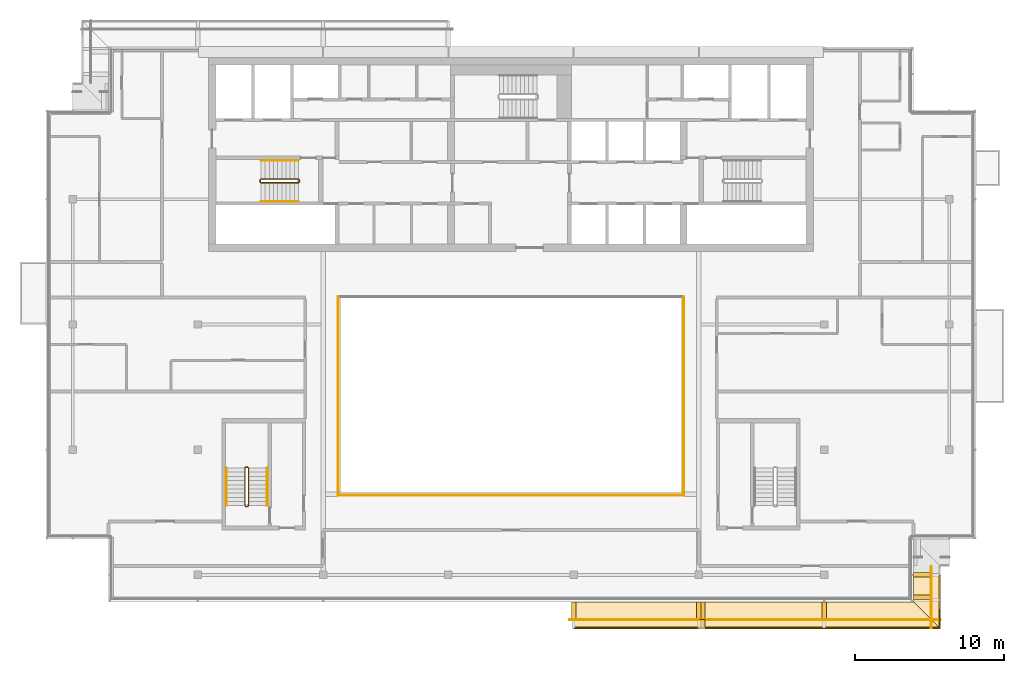
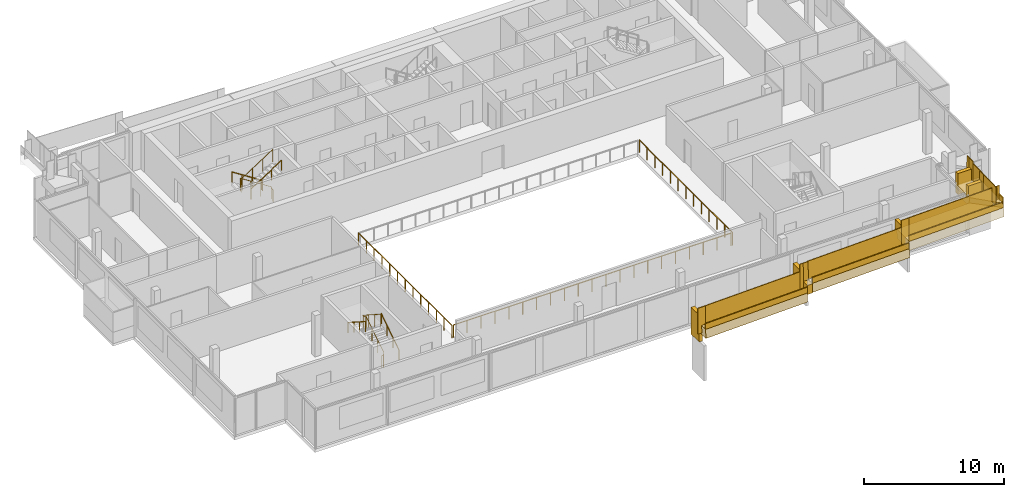
# One storey, part 17 of 21: 20 railings, 14 coverings.
"""IFC4 building model written with IfcOpenShell, lengths in metres."""

from ifc_helpers import new_model, si_unit, direction, frame, origin, origin_2d, place, context, subcontext, project, spatial, polyline, rectangle, circle, outline, extrude, material, layer, layer_set, type_object, element, save


model = new_model("IFC4")

# Units and contexts
model_context = context("Model", 3, precision=1e-05, world=origin(), true_north=direction((0.0, 1.0)))
body_context = subcontext(model_context, "Body", "Model", "MODEL_VIEW")
ifc_project = project(units=[si_unit("LENGTHUNIT", "METRE"), si_unit("AREAUNIT", "SQUARE_METRE"), si_unit("VOLUMEUNIT", "CUBIC_METRE"), si_unit("PLANEANGLEUNIT", "RADIAN"), si_unit("MASSUNIT", "GRAM", prefix="KILO")], contexts=[model_context])

# Site, building, storey
site_placement = place(None, origin())
site = spatial("IfcSite", under=ifc_project, at=site_placement, CompositionType="ELEMENT")
building_placement = place(site_placement, origin())
building = spatial("IfcBuilding", under=site, at=building_placement, Name="Saffron Gate Tower", CompositionType="ELEMENT")
storey_placement = place(building_placement, frame((0.0, 0.0, 288.75)))
storey = spatial("IfcBuildingStorey", under=building, at=storey_placement, Name="L70", CompositionType="ELEMENT", Elevation=288.75)

# Railings
ifc_material_1 = material(Name="Stainless steel and laminated glass", Category="steel")
railing_type_1 = type_object("IfcRailingType", Name="AG1 Atrium edge guard 1100", PredefinedType="GUARDRAIL", material=ifc_material_1)
railing_1_placement = place(storey_placement, frame((76.02001953125, 45.5400390625, 0.0)))
element("IfcRailing", 1, at=railing_1_placement, inside=storey, type_object=railing_type_1, Name="Guard E5-1", PredefinedType="GUARDRAIL", context=body_context, shape_type="SweptSolid", body=[
    extrude(circle(Radius=0.02392578125, at=origin_2d()), frame((0.0, 0.0, 1.076171875), z_axis=(0.0, 1.0, 0.0), x_axis=(-1.0, 0.0, 0.0)), (0.0, 0.0, 1.0), 13.320068359375),
    extrude(circle(Radius=0.02099609375, at=origin_2d()), origin(), (0.0, 0.0, 1.0), 1.052001953125),
    extrude(circle(Radius=0.02099609375, at=origin_2d()), frame((0.0, 1.110107421875, 0.0)), (0.0, 0.0, 1.0), 1.052001953125),
    extrude(circle(Radius=0.02099609375, at=origin_2d()), frame((0.0, 2.219970703125, 0.0)), (0.0, 0.0, 1.0), 1.052001953125),
    extrude(circle(Radius=0.02099609375, at=origin_2d()), frame((0.0, 3.330078125, 0.0)), (0.0, 0.0, 1.0), 1.052001953125),
    extrude(circle(Radius=0.02099609375, at=origin_2d()), frame((0.0, 4.43994140625, 0.0)), (0.0, 0.0, 1.0), 1.052001953125),
    extrude(circle(Radius=0.02099609375, at=origin_2d()), frame((0.0, 5.550048828125, 0.0)), (0.0, 0.0, 1.0), 1.052001953125),
    extrude(circle(Radius=0.02099609375, at=origin_2d()), frame((0.0, 6.66015625, 0.0)), (0.0, 0.0, 1.0), 1.052001953125),
    extrude(circle(Radius=0.02099609375, at=origin_2d()), frame((0.0, 7.77001953125, 0.0)), (0.0, 0.0, 1.0), 1.052001953125),
    extrude(circle(Radius=0.02099609375, at=origin_2d()), frame((0.0, 8.880126953125, 0.0)), (0.0, 0.0, 1.0), 1.052001953125),
    extrude(circle(Radius=0.02099609375, at=origin_2d()), frame((0.0, 9.989990234375, 0.0)), (0.0, 0.0, 1.0), 1.052001953125),
    extrude(circle(Radius=0.02099609375, at=origin_2d()), frame((0.0, 11.10009765625, 0.0)), (0.0, 0.0, 1.0), 1.052001953125),
    extrude(circle(Radius=0.02099609375, at=origin_2d()), frame((0.0, 12.2099609375, 0.0)), (0.0, 0.0, 1.0), 1.052001953125),
    extrude(circle(Radius=0.02099609375, at=origin_2d()), frame((0.0, 13.320068359375, 0.0)), (0.0, 0.0, 1.0), 1.052001953125),
])
railing_2_placement = place(storey_placement, frame((99.179931640625, 58.860107421875, 0.0)))
element("IfcRailing", 2, at=railing_2_placement, inside=storey, type_object=railing_type_1, Name="Guard E5-3", PredefinedType="GUARDRAIL", context=body_context, shape_type="SweptSolid", body=[
    extrude(circle(Radius=0.02392578125, at=origin_2d()), frame((0.0, 0.0, 1.076171875), z_axis=(0.0, -1.0, 0.0), x_axis=(1.0, 0.0, 0.0)), (0.0, 0.0, 1.0), 13.320068359375),
    extrude(circle(Radius=0.02099609375, at=origin_2d()), origin(), (0.0, 0.0, 1.0), 1.052001953125),
    extrude(circle(Radius=0.02099609375, at=origin_2d()), frame((0.0, -1.110107421875, 0.0)), (0.0, 0.0, 1.0), 1.052001953125),
    extrude(circle(Radius=0.02099609375, at=origin_2d()), frame((0.0, -2.219970703125, 0.0)), (0.0, 0.0, 1.0), 1.052001953125),
    extrude(circle(Radius=0.02099609375, at=origin_2d()), frame((0.0, -3.330078125, 0.0)), (0.0, 0.0, 1.0), 1.052001953125),
    extrude(circle(Radius=0.02099609375, at=origin_2d()), frame((0.0, -4.43994140625, 0.0)), (0.0, 0.0, 1.0), 1.052001953125),
    extrude(circle(Radius=0.02099609375, at=origin_2d()), frame((0.0, -5.550048828125, 0.0)), (0.0, 0.0, 1.0), 1.052001953125),
    extrude(circle(Radius=0.02099609375, at=origin_2d()), frame((0.0, -6.66015625, 0.0)), (0.0, 0.0, 1.0), 1.052001953125),
    extrude(circle(Radius=0.02099609375, at=origin_2d()), frame((0.0, -7.77001953125, 0.0)), (0.0, 0.0, 1.0), 1.052001953125),
    extrude(circle(Radius=0.02099609375, at=origin_2d()), frame((0.0, -8.880126953125, 0.0)), (0.0, 0.0, 1.0), 1.052001953125),
    extrude(circle(Radius=0.02099609375, at=origin_2d()), frame((0.0, -9.989990234375, 0.0)), (0.0, 0.0, 1.0), 1.052001953125),
    extrude(circle(Radius=0.02099609375, at=origin_2d()), frame((0.0, -11.10009765625, 0.0)), (0.0, 0.0, 1.0), 1.052001953125),
    extrude(circle(Radius=0.02099609375, at=origin_2d()), frame((0.0, -12.2099609375, 0.0)), (0.0, 0.0, 1.0), 1.052001953125),
    extrude(circle(Radius=0.02099609375, at=origin_2d()), frame((0.0, -13.320068359375, 0.0)), (0.0, 0.0, 1.0), 1.052001953125),
])
railing_3_placement = place(storey_placement, frame((99.06005859375, 45.5400390625, 0.0)))
element("IfcRailing", 3, at=railing_3_placement, inside=storey, type_object=railing_type_1, Name="Guard E5-4", PredefinedType="GUARDRAIL", context=body_context, shape_type="SweptSolid", body=[
    extrude(circle(Radius=0.02392578125, at=origin_2d()), frame((0.0, 0.0, 1.076171875), z_axis=(-1.0, 0.0, 0.0), x_axis=(0.0, -1.0, 0.0)), (0.0, 0.0, 1.0), 22.920166015625),
    extrude(circle(Radius=0.02099609375, at=origin_2d()), origin(), (0.0, 0.0, 1.0), 1.052001953125),
    extrude(circle(Radius=0.02099609375, at=origin_2d()), frame((-1.14599609375, 0.0, 0.0)), (0.0, 0.0, 1.0), 1.052001953125),
    extrude(circle(Radius=0.02099609375, at=origin_2d()), frame((-2.2919921875, 0.0, 0.0)), (0.0, 0.0, 1.0), 1.052001953125),
    extrude(circle(Radius=0.02099609375, at=origin_2d()), frame((-3.43798828125, 0.0, 0.0)), (0.0, 0.0, 1.0), 1.052001953125),
    extrude(circle(Radius=0.02099609375, at=origin_2d()), frame((-4.583984375, 0.0, 0.0)), (0.0, 0.0, 1.0), 1.052001953125),
    extrude(circle(Radius=0.02099609375, at=origin_2d()), frame((-5.72998046875, 0.0, 0.0)), (0.0, 0.0, 1.0), 1.052001953125),
    extrude(circle(Radius=0.02099609375, at=origin_2d()), frame((-6.8759765625, 0.0, 0.0)), (0.0, 0.0, 1.0), 1.052001953125),
    extrude(circle(Radius=0.02099609375, at=origin_2d()), frame((-8.02197265625, 0.0, 0.0)), (0.0, 0.0, 1.0), 1.052001953125),
    extrude(circle(Radius=0.02099609375, at=origin_2d()), frame((-9.16796875, 0.0, 0.0)), (0.0, 0.0, 1.0), 1.052001953125),
    extrude(circle(Radius=0.02099609375, at=origin_2d()), frame((-10.31396484375, 0.0, 0.0)), (0.0, 0.0, 1.0), 1.052001953125),
    extrude(circle(Radius=0.02099609375, at=origin_2d()), frame((-11.4599609375, 0.0, 0.0)), (0.0, 0.0, 1.0), 1.052001953125),
    extrude(circle(Radius=0.02099609375, at=origin_2d()), frame((-12.606201171875, 0.0, 0.0)), (0.0, 0.0, 1.0), 1.052001953125),
    extrude(circle(Radius=0.02099609375, at=origin_2d()), frame((-13.752197265625, 0.0, 0.0)), (0.0, 0.0, 1.0), 1.052001953125),
    extrude(circle(Radius=0.02099609375, at=origin_2d()), frame((-14.898193359375, 0.0, 0.0)), (0.0, 0.0, 1.0), 1.052001953125),
    extrude(circle(Radius=0.02099609375, at=origin_2d()), frame((-16.044189453125, 0.0, 0.0)), (0.0, 0.0, 1.0), 1.052001953125),
    extrude(circle(Radius=0.02099609375, at=origin_2d()), frame((-17.190185546875, 0.0, 0.0)), (0.0, 0.0, 1.0), 1.052001953125),
    extrude(circle(Radius=0.02099609375, at=origin_2d()), frame((-18.336181640625, 0.0, 0.0)), (0.0, 0.0, 1.0), 1.052001953125),
    extrude(circle(Radius=0.02099609375, at=origin_2d()), frame((-19.482177734375, 0.0, 0.0)), (0.0, 0.0, 1.0), 1.052001953125),
    extrude(circle(Radius=0.02099609375, at=origin_2d()), frame((-20.628173828125, 0.0, 0.0)), (0.0, 0.0, 1.0), 1.052001953125),
    extrude(circle(Radius=0.02099609375, at=origin_2d()), frame((-21.774169921875, 0.0, 0.0)), (0.0, 0.0, 1.0), 1.052001953125),
    extrude(circle(Radius=0.02099609375, at=origin_2d()), frame((-22.920166015625, 0.0, 0.0)), (0.0, 0.0, 1.0), 1.052001953125),
])
railing_type_2 = type_object("IfcRailingType", Name="CR1 Stair guard 1100", PredefinedType="GUARDRAIL", material=ifc_material_1)
railing_4_placement = place(storey_placement, frame((73.39990234375, 66.550048828125, 0.0)))
element("IfcRailing", 4, at=railing_4_placement, inside=storey, type_object=railing_type_2, Name="L70 ST-A stair guard 1", PredefinedType="GUARDRAIL", context=body_context, shape_type="SweptSolid", body=[
    extrude(circle(Radius=0.02392578125, at=origin_2d()), frame((0.0, 0.0, 1.076171875), z_axis=(0.0, 1.0, 0.0), x_axis=(-1.0, 0.0, 0.0)), (0.0, 0.0, 1.0), 0.14990234375),
    extrude(circle(Radius=0.02392578125, at=origin_2d()), frame((0.0, 0.14990234375, 1.076171875), z_axis=(-0.257669022063, 0.258932105505, 0.930892496375), x_axis=(-0.708833529934, -0.705375805398, 0.0)), (0.0, 0.0, 1.0), 0.193359375),
    extrude(circle(Radius=0.02392578125, at=origin_2d()), frame((-0.0498046875, 0.199951171875, 1.255859375), z_axis=(-0.841162588446, 0.0, 0.540782303519), x_axis=(0.0, -1.0, 0.0)), (0.0, 0.0, 1.0), 2.995849609375),
    extrude(circle(Radius=0.02392578125, at=origin_2d()), frame((-2.56982421875, 0.199951171875, 2.8759765625), z_axis=(-0.707106781187, -0.707106781187, 0.0), x_axis=(0.707106781187, -0.707106781187, 0.0)), (0.0, 0.0, 1.0), 0.07080078125),
    extrude(circle(Radius=0.02392578125, at=origin_2d()), frame((-2.619873046875, 0.14990234375, 2.8759765625), z_axis=(0.0, -1.0, 0.0), x_axis=(1.0, 0.0, 0.0)), (0.0, 0.0, 1.0), 0.14990234375),
    extrude(circle(Radius=0.02392578125, at=origin_2d()), frame((-2.619873046875, 0.0, 2.8759765625), z_axis=(0.258847668887, -0.258847668887, 0.930588936439), x_axis=(0.707106781187, 0.707106781187, 0.0)), (0.0, 0.0, 1.0), 0.193359375),
    extrude(circle(Radius=0.02392578125, at=origin_2d()), frame((-2.56982421875, -0.050048828125, 3.05615234375), z_axis=(0.841162588446, 0.0, 0.540782303519), x_axis=(0.0, 1.0, 0.0)), (0.0, 0.0, 1.0), 2.995849609375),
    extrude(circle(Radius=0.02099609375, at=origin_2d()), origin(), (0.0, 0.0, 1.0), 1.052001953125),
    extrude(circle(Radius=0.02099609375, at=origin_2d()), frame((0.0, 0.14990234375, 0.0)), (0.0, 0.0, 1.0), 1.052001953125),
    extrude(circle(Radius=0.02099609375, at=origin_2d()), frame((-0.0498046875, 0.199951171875, 0.179931640625)), (0.0, 0.0, 1.0), 1.052001953125),
    extrude(circle(Radius=0.02099609375, at=origin_2d()), frame((-0.889892578125, 0.199951171875, 0.719970703125)), (0.0, 0.0, 1.0), 1.052001953125),
    extrude(circle(Radius=0.02099609375, at=origin_2d()), frame((-1.729736328125, 0.199951171875, 1.260009765625)), (0.0, 0.0, 1.0), 1.052001953125),
    extrude(circle(Radius=0.02099609375, at=origin_2d()), frame((-2.56982421875, 0.199951171875, 1.800048828125)), (0.0, 0.0, 1.0), 1.052001953125),
    extrude(circle(Radius=0.02099609375, at=origin_2d()), frame((-2.619873046875, 0.14990234375, 1.800048828125)), (0.0, 0.0, 1.0), 1.052001953125),
    extrude(circle(Radius=0.02099609375, at=origin_2d()), frame((-2.619873046875, 0.0, 1.800048828125)), (0.0, 0.0, 1.0), 1.052001953125),
    extrude(circle(Radius=0.02099609375, at=origin_2d()), frame((-2.56982421875, -0.050048828125, 1.97998046875)), (0.0, 0.0, 1.0), 1.052001953125),
    extrude(circle(Radius=0.02099609375, at=origin_2d()), frame((-1.729736328125, -0.050048828125, 2.52001953125)), (0.0, 0.0, 1.0), 1.052001953125),
    extrude(circle(Radius=0.02099609375, at=origin_2d()), frame((-0.889892578125, -0.050048828125, 3.06005859375)), (0.0, 0.0, 1.0), 1.052001953125),
    extrude(circle(Radius=0.02099609375, at=origin_2d()), frame((-0.0498046875, -0.050048828125, 3.60009765625)), (0.0, 0.0, 1.0), 1.052001953125),
])
railing_5_placement = place(storey_placement, frame((69.800048828125, 44.800048828125, 0.0)))
element("IfcRailing", 5, at=railing_5_placement, inside=storey, type_object=railing_type_2, Name="L70 ST-D stair guard 1", PredefinedType="GUARDRAIL", context=body_context, shape_type="SweptSolid", body=[
    extrude(circle(Radius=0.02392578125, at=origin_2d()), frame((0.0, 0.0, 1.076171875), z_axis=(1.0, 0.0, 0.0), x_axis=(0.0, 1.0, 0.0)), (0.0, 0.0, 1.0), 0.14990234375),
    extrude(circle(Radius=0.02392578125, at=origin_2d()), frame((0.14990234375, 0.0, 1.076171875), z_axis=(0.258847668887, 0.258847668887, 0.930588936439), x_axis=(-0.707106781187, 0.707106781187, 0.0)), (0.0, 0.0, 1.0), 0.193359375),
    extrude(circle(Radius=0.02392578125, at=origin_2d()), frame((0.199951171875, 0.050048828125, 1.255859375), z_axis=(0.0, 0.841162588446, 0.540782303519), x_axis=(-1.0, 0.0, 0.0)), (0.0, 0.0, 1.0), 2.995849609375),
    extrude(circle(Radius=0.02392578125, at=origin_2d()), frame((0.199951171875, 2.570068359375, 2.8759765625), z_axis=(-0.708833529934, 0.705375805398, 0.0), x_axis=(-0.705375805398, -0.708833529934, 0.0)), (0.0, 0.0, 1.0), 0.070556640625),
    extrude(circle(Radius=0.02392578125, at=origin_2d()), frame((0.14990234375, 2.619873046875, 2.8759765625), z_axis=(-1.0, 0.0, 0.0), x_axis=(0.0, -1.0, 0.0)), (0.0, 0.0, 1.0), 0.14990234375),
    extrude(circle(Radius=0.02392578125, at=origin_2d()), frame((0.0, 2.619873046875, 2.8759765625), z_axis=(-0.258932105505, -0.257669022063, 0.930892496375), x_axis=(0.705375805398, -0.708833529934, 0.0)), (0.0, 0.0, 1.0), 0.193359375),
    extrude(circle(Radius=0.02392578125, at=origin_2d()), frame((-0.050048828125, 2.570068359375, 3.05615234375), z_axis=(0.0, -0.841162588446, 0.540782303519), x_axis=(1.0, 0.0, 0.0)), (0.0, 0.0, 1.0), 2.995849609375),
    extrude(circle(Radius=0.02099609375, at=origin_2d()), origin(), (0.0, 0.0, 1.0), 1.052001953125),
    extrude(circle(Radius=0.02099609375, at=origin_2d()), frame((0.14990234375, 0.0, 0.0)), (0.0, 0.0, 1.0), 1.052001953125),
    extrude(circle(Radius=0.02099609375, at=origin_2d()), frame((0.199951171875, 0.050048828125, 0.179931640625)), (0.0, 0.0, 1.0), 1.052001953125),
    extrude(circle(Radius=0.02099609375, at=origin_2d()), frame((0.199951171875, 0.89013671875, 0.719970703125)), (0.0, 0.0, 1.0), 1.052001953125),
    extrude(circle(Radius=0.02099609375, at=origin_2d()), frame((0.199951171875, 1.72998046875, 1.260009765625)), (0.0, 0.0, 1.0), 1.052001953125),
    extrude(circle(Radius=0.02099609375, at=origin_2d()), frame((0.199951171875, 2.570068359375, 1.800048828125)), (0.0, 0.0, 1.0), 1.052001953125),
    extrude(circle(Radius=0.02099609375, at=origin_2d()), frame((0.14990234375, 2.619873046875, 1.800048828125)), (0.0, 0.0, 1.0), 1.052001953125),
    extrude(circle(Radius=0.02099609375, at=origin_2d()), frame((0.0, 2.619873046875, 1.800048828125)), (0.0, 0.0, 1.0), 1.052001953125),
    extrude(circle(Radius=0.02099609375, at=origin_2d()), frame((-0.050048828125, 2.570068359375, 1.97998046875)), (0.0, 0.0, 1.0), 1.052001953125),
    extrude(circle(Radius=0.02099609375, at=origin_2d()), frame((-0.050048828125, 1.72998046875, 2.52001953125)), (0.0, 0.0, 1.0), 1.052001953125),
    extrude(circle(Radius=0.02099609375, at=origin_2d()), frame((-0.050048828125, 0.89013671875, 3.06005859375)), (0.0, 0.0, 1.0), 1.052001953125),
    extrude(circle(Radius=0.02099609375, at=origin_2d()), frame((-0.050048828125, 0.050048828125, 3.60009765625)), (0.0, 0.0, 1.0), 1.052001953125),
])
ifc_material_2 = material(Name="Stainless steel", Category="steel")
railing_type_3 = type_object("IfcRailingType", Name="CR2 Stair handrail 900", PredefinedType="HANDRAIL", material=ifc_material_2)
railing_6_placement = place(storey_placement, frame((73.35009765625, 68.0, 0.179931640625)))
element("IfcRailing", 6, at=railing_6_placement, inside=storey, type_object=railing_type_3, Name="L70 ST-A stair handrail 1", PredefinedType="HANDRAIL", context=body_context, shape_type="SweptSolid", body=[
    extrude(circle(Radius=0.02392578125, at=origin_2d()), frame((0.0, 0.0, 0.8759765625), z_axis=(-0.841162588446, 0.0, 0.540782303519), x_axis=(0.0, -1.0, 0.0)), (0.0, 0.0, 1.0), 2.995849609375),
    extrude(circle(Radius=0.02099609375, at=origin_2d()), origin(), (0.0, 0.0, 1.0), 0.851806640625),
    extrude(circle(Radius=0.02099609375, at=origin_2d()), frame((-0.840087890625, 0.0, 0.5400390625)), (0.0, 0.0, 1.0), 0.851806640625),
    extrude(circle(Radius=0.02099609375, at=origin_2d()), frame((-1.679931640625, 0.0, 1.080078125)), (0.0, 0.0, 1.0), 0.851806640625),
    extrude(circle(Radius=0.02099609375, at=origin_2d()), frame((-2.52001953125, 0.0, 1.6201171875)), (0.0, 0.0, 1.0), 0.851806640625),
])
railing_7_placement = place(storey_placement, frame((70.830078125, 65.25, 1.97998046875)))
element("IfcRailing", 7, at=railing_7_placement, inside=storey, type_object=railing_type_3, Name="L70 ST-A stair handrail 2", PredefinedType="HANDRAIL", context=body_context, shape_type="SweptSolid", body=[
    extrude(circle(Radius=0.02392578125, at=origin_2d()), frame((0.0, 0.0, 0.8759765625), z_axis=(0.841162588446, 0.0, 0.540782303519), x_axis=(0.0, 1.0, 0.0)), (0.0, 0.0, 1.0), 2.995849609375),
    extrude(circle(Radius=0.02099609375, at=origin_2d()), origin(), (0.0, 0.0, 1.0), 0.851806640625),
    extrude(circle(Radius=0.02099609375, at=origin_2d()), frame((0.840087890625, 0.0, 0.5400390625)), (0.0, 0.0, 1.0), 0.851806640625),
    extrude(circle(Radius=0.02099609375, at=origin_2d()), frame((1.679931640625, 0.0, 1.080078125)), (0.0, 0.0, 1.0), 0.851806640625),
    extrude(circle(Radius=0.02099609375, at=origin_2d()), frame((2.52001953125, 0.0, 1.6201171875)), (0.0, 0.0, 1.0), 0.851806640625),
])
railing_8_placement = place(storey_placement, frame((71.25, 44.85009765625, 0.179931640625)))
element("IfcRailing", 8, at=railing_8_placement, inside=storey, type_object=railing_type_3, Name="L70 ST-D stair handrail 1", PredefinedType="HANDRAIL", context=body_context, shape_type="SweptSolid", body=[
    extrude(circle(Radius=0.02392578125, at=origin_2d()), frame((0.0, 0.0, 0.8759765625), z_axis=(0.0, 0.841162588446, 0.540782303519), x_axis=(-1.0, 0.0, 0.0)), (0.0, 0.0, 1.0), 2.995849609375),
    extrude(circle(Radius=0.02099609375, at=origin_2d()), origin(), (0.0, 0.0, 1.0), 0.851806640625),
    extrude(circle(Radius=0.02099609375, at=origin_2d()), frame((0.0, 0.840087890625, 0.5400390625)), (0.0, 0.0, 1.0), 0.851806640625),
    extrude(circle(Radius=0.02099609375, at=origin_2d()), frame((0.0, 1.679931640625, 1.080078125)), (0.0, 0.0, 1.0), 0.851806640625),
    extrude(circle(Radius=0.02099609375, at=origin_2d()), frame((0.0, 2.52001953125, 1.6201171875)), (0.0, 0.0, 1.0), 0.851806640625),
])
railing_9_placement = place(storey_placement, frame((68.5, 47.3701171875, 1.97998046875)))
element("IfcRailing", 9, at=railing_9_placement, inside=storey, type_object=railing_type_3, Name="L70 ST-D stair handrail 2", PredefinedType="HANDRAIL", context=body_context, shape_type="SweptSolid", body=[
    extrude(circle(Radius=0.02392578125, at=origin_2d()), frame((0.0, 0.0, 0.8759765625), z_axis=(0.0, -0.841162588446, 0.540782303519), x_axis=(1.0, 0.0, 0.0)), (0.0, 0.0, 1.0), 2.995849609375),
    extrude(circle(Radius=0.02099609375, at=origin_2d()), origin(), (0.0, 0.0, 1.0), 0.851806640625),
    extrude(circle(Radius=0.02099609375, at=origin_2d()), frame((0.0, -0.840087890625, 0.5400390625)), (0.0, 0.0, 1.0), 0.851806640625),
    extrude(circle(Radius=0.02099609375, at=origin_2d()), frame((0.0, -1.679931640625, 1.080078125)), (0.0, 0.0, 1.0), 0.851806640625),
    extrude(circle(Radius=0.02099609375, at=origin_2d()), frame((0.0, -2.52001953125, 1.6201171875)), (0.0, 0.0, 1.0), 0.851806640625),
])

# Coverings
ifc_material_3 = material(Name="Timber, thermally modified ash", Category="wood")
ifc_layer_1 = layer(ifc_material_3, 0.800048828125)
ifc_layer_set_1 = layer_set([ifc_layer_1], Name="LD1 ledge timber")
covering_type_1 = type_object("IfcCoveringType", Name="LD1 ledge timber", PredefinedType="CLADDING", material=ifc_layer_set_1)
covering_1_placement = place(storey_placement, frame((91.800048828125, 38.39990234375, 0.629638671875), z_axis=(-0.028791175352, 0.0, 0.999585448184), x_axis=(0.999585448184, 0.0, 0.028791175352)))
element("IfcCovering", 10, at=covering_1_placement, inside=storey, type_object=covering_type_1, Name="LEDGE", PredefinedType="CLADDING", context=body_context, shape_type="SweptSolid", body=[
    extrude(outline(polyline([(0.0, 0.0), (8.403385982666892, 0.0), (8.403385982666892, -1.7998046875), (0.0, -1.7998046875), (0.0, 0.0)])), origin(), (0.0, 0.0, -1.0), 0.800048828125),
])
covering_2_placement = place(storey_placement, frame((100.199951171875, 38.39990234375, 1.52587890625), z_axis=(-0.029273599113, 0.0, 0.999571436364), x_axis=(0.999571436364, 0.0, 0.029273599113)))
element("IfcCovering", 11, at=covering_2_placement, inside=storey, type_object=covering_type_1, Name="LEDGE", PredefinedType="CLADDING", context=body_context, shape_type="SweptSolid", body=[
    extrude(outline(polyline([(0.0, 0.0), (0.40031804613236543, 0.0), (0.40031804613236543, -1.7998046875), (0.0, -1.7998046875), (0.0, 0.0)])), origin(), (0.0, 0.0, -1.0), 0.800048828125),
])
covering_3_placement = place(storey_placement, frame((100.60009765625, 38.39990234375, 1.568603515625), z_axis=(-0.028796646555, 0.0, 0.999585290582), x_axis=(0.999585290582, 0.0, 0.028796646555)))
element("IfcCovering", 12, at=covering_3_placement, inside=storey, type_object=covering_type_1, Name="LEDGE", PredefinedType="CLADDING", context=body_context, shape_type="SweptSolid", body=[
    extrude(outline(polyline([(0.0, 0.0), (8.003319051788862, 0.0), (8.003319051788862, -1.7998046875), (0.0, -1.7998046875), (0.0, 0.0)])), origin(), (0.0, 0.0, -1.0), 0.800048828125),
])
covering_4_placement = place(storey_placement, frame((108.60009765625, 38.39990234375, 2.42236328125), z_axis=(-0.028807655518, 3.6731057e-05, 0.999584972693), x_axis=(0.999584973368, 4.05e-10, 0.028807655538)))
element("IfcCovering", 13, at=covering_4_placement, inside=storey, type_object=covering_type_1, Name="LEDGE", PredefinedType="CLADDING", context=body_context, shape_type="SweptSolid", body=[
    extrude(outline(polyline([(0.0, 0.0), (6.0024892884776, 8.470329472543003e-22), (7.8030450627240935, -1.799804691870761), (-7.280919221827951e-10, -1.7998046862858783), (0.0, 0.0)])), origin(), (0.0, 0.0, -1.0), 0.800048828125),
])
covering_5_placement = place(storey_placement, frame((114.60009765625, 38.39990234375, 3.062744140625), z_axis=(1.299646e-06, -0.028742979799, 0.999586835203), x_axis=(2e-12, 0.999586835204, 0.028742979799)))
element("IfcCovering", 14, at=covering_5_placement, inside=storey, type_object=covering_type_1, Name="LEDGE", PredefinedType="CLADDING", context=body_context, shape_type="SweptSolid", body=[
    extrude(outline(polyline([(0.0, 0.0), (1.8007927850764784, -1.3234889800848443e-23), (1.800792785079517, -1.79980468749848), (-1.8005487453187516, -1.7998046875075997), (0.0, 0.0)])), origin(), (0.0, 0.0, -1.0), 0.800048828125),
])
ifc_layer_2 = layer(ifc_material_3, 0.080078125)
ifc_layer_set_2 = layer_set([ifc_layer_2], Name="LD2 ledge planter trough")
covering_type_2 = type_object("IfcCoveringType", Name="LD2 ledge planter trough", PredefinedType="CLADDING", material=ifc_layer_set_2)
covering_6_placement = place(storey_placement, frame((91.800048828125, 36.60009765625, 0.629638671875), z_axis=(0.0, -1.0, 0.0), x_axis=(0.999585448184, 0.0, 0.028791175352)))
element("IfcCovering", 15, at=covering_6_placement, inside=storey, type_object=covering_type_2, Name="LEDGE planter trough", PredefinedType="CLADDING", context=body_context, shape_type="SweptSolid", body=[
    extrude(outline(polyline([(0.0, 0.0), (8.403385982666892, 0.0), (8.417781570342743, 0.49979272409216496), (0.014395587675851172, 0.4997927240921649), (0.0, 0.0)])), origin(), (0.0, 0.0, -1.0), 0.080078125),
])
covering_7_placement = place(storey_placement, frame((100.60009765625, 36.60009765625, 1.568603515625), z_axis=(0.0, -1.0, 0.0), x_axis=(0.999585290582, 0.0, 0.028796646555)))
element("IfcCovering", 16, at=covering_7_placement, inside=storey, type_object=covering_type_2, Name="LEDGE planter trough", PredefinedType="CLADDING", context=body_context, shape_type="SweptSolid", body=[
    extrude(outline(polyline([(0.0, 0.0), (8.003319051788862, 0.0), (8.017717375066283, 0.4997926452908234), (0.014398323277421184, 0.49979264529082346), (0.0, 0.0)])), origin(), (0.0, 0.0, -1.0), 0.080078125),
])
covering_8_placement = place(storey_placement, frame((108.60009765625, 36.60009765625, 2.42236328125), z_axis=(0.0, -1.0, 0.0), x_axis=(0.999584729268, 0.0, 0.028816124191)))
element("IfcCovering", 17, at=covering_8_placement, inside=storey, type_object=covering_type_2, Name="LEDGE planter trough", PredefinedType="CLADDING", context=body_context, shape_type="SweptSolid", body=[
    extrude(outline(polyline([(0.0, 0.0), (7.8030450637322275, 0.0), (7.817453125827761, 0.4997923646342062), (0.014408062095533487, 0.4997923646342061), (0.0, 0.0)])), origin(), (0.0, 0.0, -1.0), 0.080078125),
])
covering_9_placement = place(storey_placement, frame((116.39990234375, 36.60009765625, 3.010986328125), z_axis=(1.0, 0.0, 0.0), x_axis=(0.0, 0.999586816534, 0.028743629041)))
element("IfcCovering", 18, at=covering_9_placement, inside=storey, type_object=covering_type_2, Name="LEDGE planter trough", PredefinedType="CLADDING", context=body_context, shape_type="SweptSolid", body=[
    extrude(outline(polyline([(0.0, 0.0), (3.6013415303990284, 0.0), (3.615713344919565, 0.4997934082672433), (0.01437181452053653, 0.4997934082672433), (0.0, 0.0)])), origin(), (0.0, 0.0, -1.0), 0.080078125),
])
ifc_layer_3 = layer(ifc_material_3, 0.300048828125)
ifc_layer_set_3 = layer_set([ifc_layer_3], Name="LD3 ledge riser fin")
covering_type_3 = type_object("IfcCoveringType", Name="LD3 ledge riser fin", PredefinedType="CLADDING", material=ifc_layer_set_3)
for number, where, z_axis, x_axis, name in (
    (19, (91.800048828125, 37.840087890625, -0.824951171875), (0.0, 0.0, 1.0), (1.0, 0.0, 0.0), "LEDGE riser fin"),
    (20, (100.199951171875, 37.840087890625, 0.071533203125), (0.0, 0.0, 1.0), (1.0, 0.0, 0.0), "LEDGE riser fin"),
):
    element("IfcCovering", number, at=place(storey_placement, frame(where, z_axis=z_axis, x_axis=x_axis)), inside=storey, type_object=covering_type_3, Name=name, PredefinedType="CLADDING", context=body_context, shape_type="SweptSolid", body=[
        extrude(rectangle(XDim=0.300048828125, YDim=1.1201171875, at=origin_2d()), origin(), (0.0, 0.0, 1.0), 2.3544921875),
    ])
covering_10_placement = place(storey_placement, frame((108.60009765625, 37.840087890625, 0.999267578125), z_axis=(0.0, 0.0, 1.0), x_axis=(1.0, 0.0, 0.0)))
element("IfcCovering", 21, at=covering_10_placement, inside=storey, type_object=covering_type_3, Name="LEDGE riser fin", PredefinedType="CLADDING", context=body_context, shape_type="SweptSolid", body=[
    extrude(rectangle(XDim=0.300048828125, YDim=1.1201171875, at=origin_2d()), origin(), (0.0, 0.0, 1.0), 2.3232421875),
])
covering_11_placement = place(storey_placement, frame((115.159912109375, 38.699951171875, 1.795166015625), z_axis=(0.0, 0.0, 1.0), x_axis=(0.0, 1.0, 0.0)))
element("IfcCovering", 22, at=covering_11_placement, inside=storey, type_object=covering_type_3, Name="LEDGE riser fin", PredefinedType="CLADDING", context=body_context, shape_type="SweptSolid", body=[
    extrude(rectangle(XDim=0.300048828125, YDim=1.1201171875, at=origin_2d()), origin(), (0.0, 0.0, 1.0), 2.16748046875),
])
covering_12_placement = place(storey_placement, frame((115.159912109375, 40.199951171875, 2.314453125), z_axis=(0.0, 0.0, 1.0), x_axis=(0.0, 1.0, 0.0)))
element("IfcCovering", 23, at=covering_12_placement, inside=storey, type_object=covering_type_3, Name="LEDGE riser fin", PredefinedType="CLADDING", context=body_context, shape_type="SweptSolid", body=[
    extrude(rectangle(XDim=0.300048828125, YDim=1.1201171875, at=origin_2d()), origin(), (0.0, 0.0, 1.0), 1.84033203125),
])

# Railings
railing_type_4 = type_object("IfcRailingType", Name="LG1 ledge balustrade", PredefinedType="BALUSTRADE", material=ifc_material_3)
railing_10_placement = place(storey_placement, frame((91.800048828125, 37.199951171875, 0.629638671875)))
element("IfcRailing", 24, at=railing_10_placement, inside=storey, type_object=railing_type_4, Name="LEDGE BALUSTRADE", PredefinedType="BALUSTRADE", context=body_context, shape_type="SweptSolid", body=[
    extrude(rectangle(XDim=0.06005859375, YDim=1.60009765625, at=origin_2d()), frame((0.0, 0.0, 0.800048828125), z_axis=(0.999585448184, 0.0, 0.028791175352), x_axis=(0.0, 1.0, 0.0)), (0.0, 0.0, 1.0), 8.4033203125),
])
railing_11_placement = place(storey_placement, frame((91.5, 37.199951171875, -0.02490234375)))
element("IfcRailing", 25, at=railing_11_placement, inside=storey, type_object=railing_type_4, Name="LEDGE BALUSTRADE", PredefinedType="BALUSTRADE", context=body_context, shape_type="SweptSolid", body=[
    extrude(rectangle(XDim=0.06005859375, YDim=2.25439453125, at=origin_2d()), frame((0.0, 0.0, 1.127197265625), z_axis=(1.0, 0.0, 0.0), x_axis=(0.0, 1.0, 0.0)), (0.0, 0.0, 1.0), 0.60009765625),
])
railing_12_placement = place(storey_placement, frame((100.199951171875, 37.199951171875, 1.52587890625)))
element("IfcRailing", 26, at=railing_12_placement, inside=storey, type_object=railing_type_4, Name="LEDGE BALUSTRADE", PredefinedType="BALUSTRADE", context=body_context, shape_type="SweptSolid", body=[
    extrude(rectangle(XDim=0.06005859375, YDim=1.60009765625, at=origin_2d()), frame((0.0, 0.0, 0.800048828125), z_axis=(0.999571436364, 0.0, 0.029273599113), x_axis=(0.0, 1.0, 0.0)), (0.0, 0.0, 1.0), 0.400390625),
])
railing_13_placement = place(storey_placement, frame((99.89990234375, 37.199951171875, 0.87158203125)))
element("IfcRailing", 27, at=railing_13_placement, inside=storey, type_object=railing_type_4, Name="LEDGE BALUSTRADE", PredefinedType="BALUSTRADE", context=body_context, shape_type="SweptSolid", body=[
    extrude(rectangle(XDim=0.06005859375, YDim=2.25439453125, at=origin_2d()), frame((0.0, 0.0, 1.127197265625), z_axis=(1.0, 0.0, 0.0), x_axis=(0.0, 1.0, 0.0)), (0.0, 0.0, 1.0), 0.60009765625),
])
railing_14_placement = place(storey_placement, frame((100.60009765625, 37.199951171875, 1.568603515625)))
element("IfcRailing", 28, at=railing_14_placement, inside=storey, type_object=railing_type_4, Name="LEDGE BALUSTRADE", PredefinedType="BALUSTRADE", context=body_context, shape_type="SweptSolid", body=[
    extrude(rectangle(XDim=0.06005859375, YDim=1.60009765625, at=origin_2d()), frame((0.0, 0.0, 0.800048828125), z_axis=(0.999585290582, 0.0, 0.028796646555), x_axis=(0.0, 1.0, 0.0)), (0.0, 0.0, 1.0), 8.00341796875),
])
railing_15_placement = place(storey_placement, frame((108.60009765625, 37.199951171875, 2.42236328125)))
element("IfcRailing", 29, at=railing_15_placement, inside=storey, type_object=railing_type_4, Name="LEDGE BALUSTRADE", PredefinedType="BALUSTRADE", context=body_context, shape_type="SweptSolid", body=[
    extrude(rectangle(XDim=0.06005859375, YDim=1.60009765625, at=origin_2d()), frame((0.0, 0.0, 0.800048828125), z_axis=(0.999584729268, 0.0, 0.028816124191), x_axis=(0.0, 1.0, 0.0)), (0.0, 0.0, 1.0), 7.802978515625),
])
railing_16_placement = place(storey_placement, frame((108.300048828125, 37.199951171875, 1.799072265625)))
element("IfcRailing", 30, at=railing_16_placement, inside=storey, type_object=railing_type_4, Name="LEDGE BALUSTRADE", PredefinedType="BALUSTRADE", context=body_context, shape_type="SweptSolid", body=[
    extrude(rectangle(XDim=0.06005859375, YDim=2.223388671875, at=origin_2d()), frame((0.0, 0.0, 1.11181640625), z_axis=(1.0, 0.0, 0.0), x_axis=(0.0, 1.0, 0.0)), (0.0, 0.0, 1.0), 0.599853515625),
])
railing_17_placement = place(storey_placement, frame((115.800048828125, 36.60009765625, 3.010986328125)))
element("IfcRailing", 31, at=railing_17_placement, inside=storey, type_object=railing_type_4, Name="LEDGE BALUSTRADE", PredefinedType="BALUSTRADE", context=body_context, shape_type="SweptSolid", body=[
    extrude(rectangle(XDim=0.06005859375, YDim=1.60009765625, at=origin_2d()), frame((0.0, 0.0, 0.800048828125), z_axis=(0.0, 0.999586816534, 0.028743629041), x_axis=(-1.0, 0.0, 0.0)), (0.0, 0.0, 1.0), 3.601318359375),
])
railing_18_placement = place(storey_placement, frame((115.800048828125, 38.39990234375, 2.59521484375)))
element("IfcRailing", 32, at=railing_18_placement, inside=storey, type_object=railing_type_4, Name="LEDGE BALUSTRADE", PredefinedType="BALUSTRADE", context=body_context, shape_type="SweptSolid", body=[
    extrude(rectangle(XDim=0.06005859375, YDim=2.0673828125, at=origin_2d()), frame((0.0, 0.0, 1.03369140625), z_axis=(0.0, 1.0, 0.0), x_axis=(-1.0, 0.0, 0.0)), (0.0, 0.0, 1.0), 0.60009765625),
])
railing_19_placement = place(storey_placement, frame((115.800048828125, 40.199951171875, 3.2548828125)))
element("IfcRailing", 33, at=railing_19_placement, inside=storey, type_object=railing_type_4, Name="LEDGE BALUSTRADE", PredefinedType="BALUSTRADE", context=body_context, shape_type="SweptSolid", body=[
    extrude(rectangle(XDim=0.06005859375, YDim=1.60009765625, at=origin_2d()), frame((0.0, 0.0, 0.800048828125), z_axis=(0.0, 0.999594735783, 0.028466896463), x_axis=(-1.0, 0.0, 0.0)), (0.0, 0.0, 1.0), 0.600341796875),
])
railing_20_placement = place(storey_placement, frame((115.800048828125, 39.89990234375, 3.114501953125)))
element("IfcRailing", 34, at=railing_20_placement, inside=storey, type_object=railing_type_4, Name="LEDGE BALUSTRADE", PredefinedType="BALUSTRADE", context=body_context, shape_type="SweptSolid", body=[
    extrude(rectangle(XDim=0.06005859375, YDim=1.740234375, at=origin_2d()), frame((0.0, 0.0, 0.8701171875), z_axis=(0.0, 1.0, 0.0), x_axis=(-1.0, 0.0, 0.0)), (0.0, 0.0, 1.0), 0.60009765625),
])

save(model, "model.ifc")
